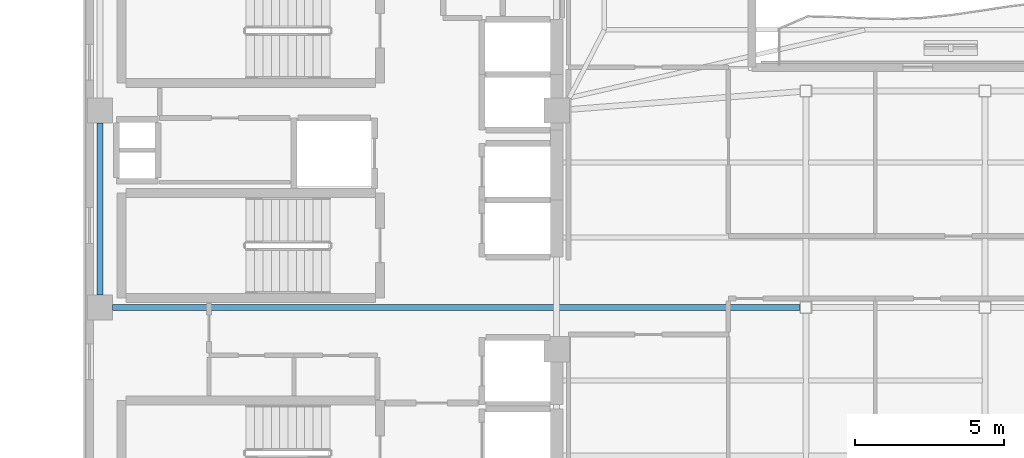
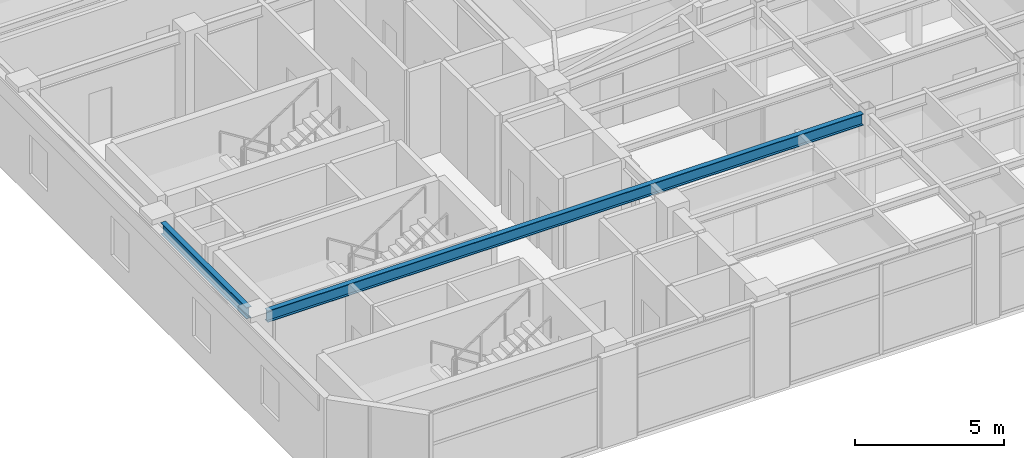
# One storey, part 3 of 15: 2 beams.
"""IFC4 building model written with IfcOpenShell, lengths in metres."""

from ifc_helpers import new_model, si_unit, direction, frame, origin, origin_2d, place, context, subcontext, project, spatial, i_section, extrude, material, material_profile, profile_set, type_object, element, save


model = new_model("IFC4")

# Units and contexts
model_context = context("Model", 3, precision=1e-05, world=origin(), true_north=direction((0.0, 1.0)))
body_context = subcontext(model_context, "Body", "Model", "MODEL_VIEW")
ifc_project = project(units=[si_unit("LENGTHUNIT", "METRE"), si_unit("AREAUNIT", "SQUARE_METRE"), si_unit("VOLUMEUNIT", "CUBIC_METRE"), si_unit("PLANEANGLEUNIT", "RADIAN"), si_unit("MASSUNIT", "GRAM", prefix="KILO")], contexts=[model_context])

# Site, building, storey
site_placement = place(None, origin())
site = spatial("IfcSite", under=ifc_project, at=site_placement, CompositionType="ELEMENT")
building_placement = place(site_placement, origin())
building = spatial("IfcBuilding", under=site, at=building_placement, Name="Mawjaban Terraces University", CompositionType="ELEMENT")
storey_placement = place(building_placement, frame((0.0, 0.0, 295.0)))
storey = spatial("IfcBuildingStorey", under=building, at=storey_placement, Name="L72", CompositionType="ELEMENT", Elevation=295.0)

# Beams
ifc_material = material(Name="Steel ASTM A572 Grade 50", Category="steel")
ifc_material_profile = material_profile(ifc_material, i_section(OverallWidth=0.194091796875, OverallDepth=0.468994140625, WebThickness=0.011474609375, FlangeThickness=0.0205078125, at=origin_2d()), Name="W460X106")
ifc_profile_set = profile_set([ifc_material_profile], Name="Steel ASTM A572 Grade 50")
beam_type = type_object("IfcBeamType", Name="Beam_B_W460X106", PredefinedType="BEAM", material=ifc_profile_set)
beam_1_placement = place(storey_placement, frame((22.77490234375, 7.949951171875, 3.455078125), z_axis=(1.0, 0.0, 0.0), x_axis=(0.0, 1.0, 0.0)))
element("IfcBeam", 1, at=beam_1_placement, inside=storey, type_object=beam_type, Name="L72 Beam BM-L72-EW-03", PredefinedType="BEAM", context=body_context, shape_type="SweptSolid", body=[
    extrude(i_section(OverallWidth=0.194091796875, OverallDepth=0.468994140625, WebThickness=0.011474609375, FlangeThickness=0.0205078125, at=origin_2d()), origin(), (0.0, 0.0, 1.0), 23.025146484375),
])
beam_2_placement = place(storey_placement, frame((22.35009765625, 8.375, 3.455078125), z_axis=(0.0, 1.0, 0.0), x_axis=(-1.0, 0.0, 0.0)))
element("IfcBeam", 2, at=beam_2_placement, inside=storey, type_object=beam_type, Name="L72 Beam BM-L72-NS-01", PredefinedType="BEAM", context=body_context, shape_type="SweptSolid", body=[
    extrude(i_section(OverallWidth=0.194091796875, OverallDepth=0.468994140625, WebThickness=0.011474609375, FlangeThickness=0.0205078125, at=origin_2d()), origin(), (0.0, 0.0, 1.0), 5.75),
])

save(model, "model.ifc")
